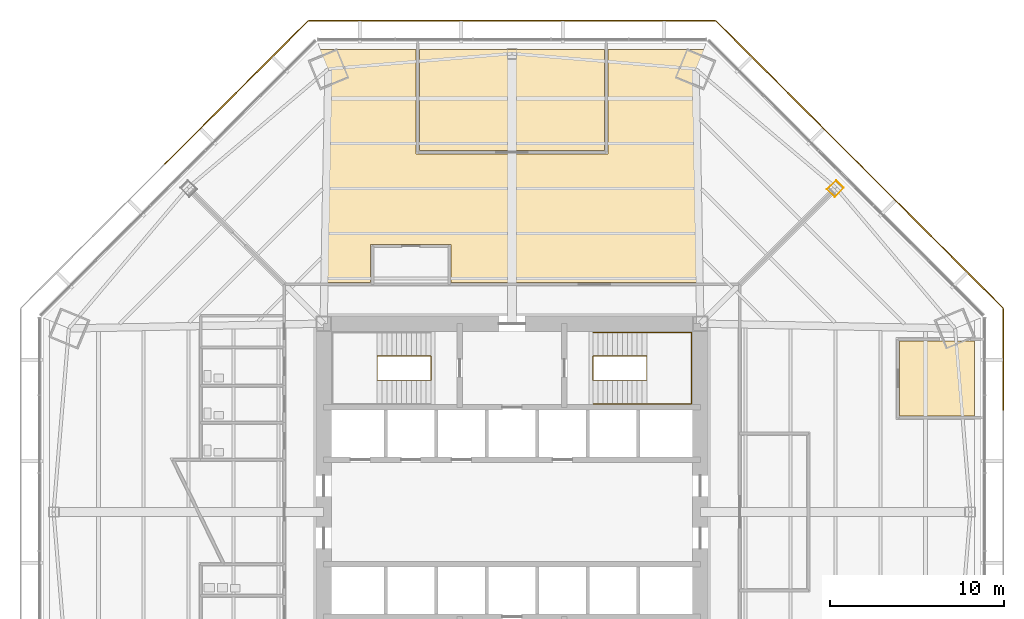
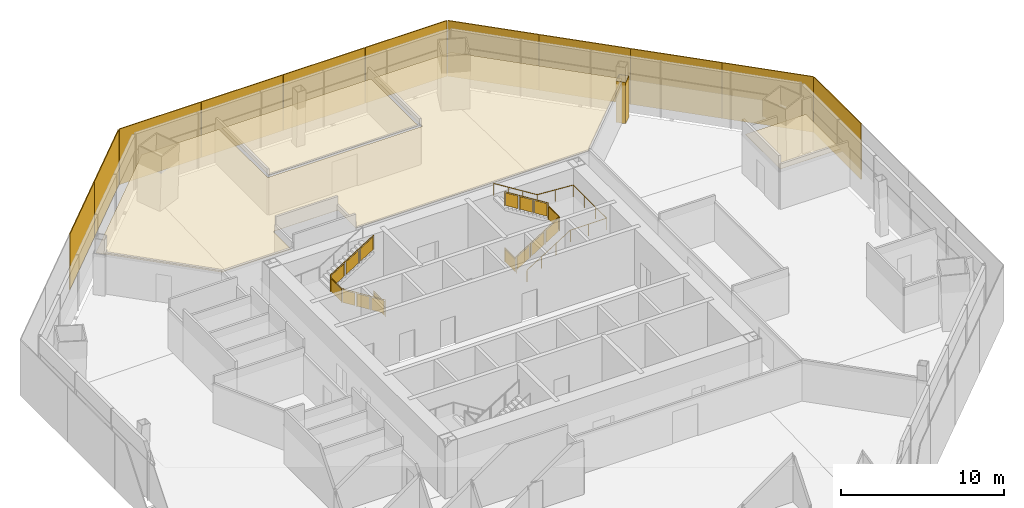
# One storey, part 13 of 14: 11 shading devices, 4 coverings, 3 railings.
"""IFC4 building model written with IfcOpenShell, lengths in metres."""

import ifcopenshell
import ifcopenshell.guid

model = None  # the IFC model being written
_history = None  # IfcOwnerHistory: only IFC2X3 demands one
_inside = {}  # id of a spatial element -> (the spatial element, [elements in it])
_under = {}  # id of a project, library or spatial element -> (it, [spatial elements below it])
_declared = {}  # id of a project -> (the project, [libraries it declares])
_typed = {}  # id of a type object -> (the type object, [elements of that type])
_made_of = {}  # id of a material, layer set ... -> (it, [elements and type objects made of it])


def new_model(schema):
    """Start an empty IFC model of exactly this schema.

    Asked for "IFC4X3", IfcOpenShell would pick the latest addendum, in which some entities
    have other attributes; the version numbers below select the first issue.
    IFC2X3 requires an IfcOwnerHistory on every rooted entity: one is made here for all.
    """
    global model, _history
    if schema == "IFC4X3":
        model = ifcopenshell.file(schema_version=(4, 3, 0, 0))
    else:
        model = ifcopenshell.file(schema=schema)
    _inside.clear()
    _under.clear()
    _declared.clear()
    _typed.clear()
    _made_of.clear()
    _history = None
    if model.schema == "IFC2X3":
        org = make("IfcOrganization", Name="unknown")
        user = make(
            "IfcPersonAndOrganization",
            ThePerson=make("IfcPerson", FamilyName="unknown"),
            TheOrganization=org,
        )
        app = make(
            "IfcApplication",
            ApplicationDeveloper=org,
            Version="unknown",
            ApplicationFullName="unknown",
            ApplicationIdentifier="unknown",
        )
        _history = make(
            "IfcOwnerHistory",
            OwningUser=user,
            OwningApplication=app,
            ChangeAction="ADDED",
            CreationDate=0,
        )
    return model


def make(cls, **values):
    """One entity of the class cls with the attributes given. An attribute that is None is left unset."""
    return model.create_entity(
        cls, **{name: value for name, value in values.items() if value is not None}
    )


def rooted(cls, **values):
    """An entity with a GlobalId (a new one), such as an element, a storey or a relation."""
    return make(cls, GlobalId=ifcopenshell.guid.new(), OwnerHistory=_history, **values)


def si_unit(unit_type, name, prefix=None):
    """IfcSIUnit, for example si_unit("LENGTHUNIT", "METRE", prefix="MILLI")."""
    return make("IfcSIUnit", UnitType=unit_type, Prefix=prefix, Name=name)


def assignment(units):
    """IfcUnitAssignment: the units of a project."""
    return None if units is None else make("IfcUnitAssignment", Units=units)


def point(xyz):
    """IfcCartesianPoint."""
    return None if xyz is None else make("IfcCartesianPoint", Coordinates=xyz)


def direction(xyz):
    """IfcDirection."""
    return None if xyz is None else make("IfcDirection", DirectionRatios=xyz)


def frame(location, z_axis=None, x_axis=None):
    """IfcAxis2Placement3D, a coordinate frame: its origin and axes. An axis left out is left unset."""
    return make(
        "IfcAxis2Placement3D",
        Location=point(location),
        Axis=direction(z_axis),
        RefDirection=direction(x_axis),
    )


def frame_2d(location, x_axis=None):
    """IfcAxis2Placement2D, a coordinate frame in the plane: its origin and x axis."""
    return make(
        "IfcAxis2Placement2D", Location=point(location), RefDirection=direction(x_axis)
    )


def origin():
    """The frame at (0, 0, 0) with its axes left unset."""
    return frame((0.0, 0.0, 0.0))


def origin_2d():
    """The frame at (0, 0) in the plane with its x axis left unset."""
    return frame_2d((0.0, 0.0))


def place(relative_to, where):
    """IfcLocalPlacement: puts the frame where relative to a parent placement (None: the world)."""
    return make(
        "IfcLocalPlacement", PlacementRelTo=relative_to, RelativePlacement=where
    )


def context(
    kind, dimensions, precision=None, world=None, true_north=None, identifier=None
):
    """IfcGeometricRepresentationContext, for example the 3D "Model" context."""
    return make(
        "IfcGeometricRepresentationContext",
        ContextIdentifier=identifier,
        ContextType=kind,
        CoordinateSpaceDimension=dimensions,
        Precision=precision,
        WorldCoordinateSystem=world,
        TrueNorth=true_north,
    )


def subcontext(parent, identifier, kind, view, scale=None):
    """IfcGeometricRepresentationSubContext, for example "Body" below "Model"."""
    return make(
        "IfcGeometricRepresentationSubContext",
        ContextIdentifier=identifier,
        ContextType=kind,
        ParentContext=parent,
        TargetScale=scale,
        TargetView=view,
    )


def project(units=None, contexts=None):
    """IfcProject with its units and contexts."""
    return rooted(
        "IfcProject",
        Name="project",
        RepresentationContexts=contexts,
        UnitsInContext=assignment(units),
    )


def spatial(cls, under=None, at=None, **own):
    """A site, building, storey or space (cls), placed at a placement, below another one or the project."""
    s = rooted(cls, ObjectPlacement=at, **own)
    if under is not None:
        _under.setdefault(under.id(), (under, []))[1].append(s)
    return s


def polyline(points):
    """IfcPolyline through the points."""
    return make("IfcPolyline", Points=[point(p) for p in points])


def profile(cls, at=None, kind="AREA", **sizes):
    """A parametric profile (cls). Its sizes go by their IFC names, for example OverallWidth=200.0."""
    return make(cls, ProfileType=kind, Position=at, **sizes)


def rectangle(**sizes):
    """IfcRectangleProfileDef."""
    return profile("IfcRectangleProfileDef", **sizes)


def circle(**sizes):
    """IfcCircleProfileDef."""
    return profile("IfcCircleProfileDef", **sizes)


def outline(outer, holes=None, kind="AREA"):
    """IfcArbitraryClosedProfileDef: a profile drawn as a closed curve; with holes, ...WithVoids."""
    if holes is None:
        return make("IfcArbitraryClosedProfileDef", ProfileType=kind, OuterCurve=outer)
    return make(
        "IfcArbitraryProfileDefWithVoids",
        ProfileType=kind,
        OuterCurve=outer,
        InnerCurves=holes,
    )


def extrude(swept, where, along, depth):
    """IfcExtrudedAreaSolid: the profile swept, set in the frame where, extruded along a direction by depth."""
    return make(
        "IfcExtrudedAreaSolid",
        SweptArea=swept,
        Position=where,
        ExtrudedDirection=direction(along),
        Depth=depth,
    )


def shape(context_of_items, identifier, shape_type, items):
    """IfcShapeRepresentation: the items that make up one representation, for example the "Body"."""
    return make(
        "IfcShapeRepresentation",
        ContextOfItems=context_of_items,
        RepresentationIdentifier=identifier,
        RepresentationType=shape_type,
        Items=items,
    )


def source(mapping_origin, context_of_items, identifier, shape_type, items):
    """IfcRepresentationMap: a shape defined once, which mapped items show again and again."""
    return make(
        "IfcRepresentationMap",
        MappingOrigin=mapping_origin,
        MappedRepresentation=shape(context_of_items, identifier, shape_type, items),
    )


def transform(
    local_origin,
    x_axis=None,
    y_axis=None,
    z_axis=None,
    scale=None,
    scale2=None,
    scale3=None,
    uniform=True,
):
    """IfcCartesianTransformationOperator3D, or its non-uniform kind. x_axis, y_axis, z_axis: its Axis1, 2, 3."""
    if uniform:
        return make(
            "IfcCartesianTransformationOperator3D",
            Axis1=direction(x_axis),
            Axis2=direction(y_axis),
            LocalOrigin=point(local_origin),
            Scale=scale,
            Axis3=direction(z_axis),
        )
    return make(
        "IfcCartesianTransformationOperator3DnonUniform",
        Axis1=direction(x_axis),
        Axis2=direction(y_axis),
        LocalOrigin=point(local_origin),
        Scale=scale,
        Axis3=direction(z_axis),
        Scale2=scale2,
        Scale3=scale3,
    )


def mapped(mapping_source, mapping_target):
    """IfcMappedItem: shows the shape of a source again, moved by a transform."""
    return make(
        "IfcMappedItem", MappingSource=mapping_source, MappingTarget=mapping_target
    )


def material(Name=None, Category=None):
    """IfcMaterial."""
    return make("IfcMaterial", Name=Name, Category=Category)


def layer(
    of_material, thickness, ventilated=None, Name=None, Category=None, Priority=None
):
    """IfcMaterialLayer: one layer of a wall or slab, of a material (None: an air gap)."""
    return make(
        "IfcMaterialLayer",
        Material=of_material,
        LayerThickness=thickness,
        IsVentilated=ventilated,
        Name=Name,
        Category=Category,
        Priority=Priority,
    )


def layer_set(layers, Name=None):
    """IfcMaterialLayerSet."""
    return make("IfcMaterialLayerSet", MaterialLayers=layers, LayerSetName=Name)


def made_of(thing, what):
    """Note that an element or type object is made of a material, layer set ...; save() writes the relation."""
    if what is not None:
        _made_of.setdefault(what.id(), (what, []))[1].append(thing)
    return thing


def type_object(cls, material=None, **own):
    """A type object (cls), such as IfcWallType, which elements share."""
    return made_of(rooted(cls, **own), material)


def type_shapes(of_type, sources):
    """Give a type object the sources (RepresentationMaps) that its elements show as mapped items."""
    of_type.RepresentationMaps = sources


def element(
    cls,
    number,
    at=None,
    inside=None,
    cuts=None,
    type_object=None,
    material=None,
    context=None,
    identifier="Body",
    shape_type=None,
    held_by="IfcProductDefinitionShape",
    body=None,
    shapes=None,
    **own,
):
    """One element of the class cls, such as IfcWall. Its Tag is "e" and its number.

    at: its placement. inside: the storey or other place that contains it. cuts: it is an
    opening in that element (IfcRelVoidsElement). A single representation is given by context,
    identifier, shape_type and body (its items); several are given by shapes. held_by: the class
    of the entity that holds the representations. save() writes the other relations.
    """
    e = rooted(cls, Tag="e%d" % number, ObjectPlacement=at, **own)
    if body is not None:
        shapes = [shape(context, identifier, shape_type, body)]
    if shapes is not None:
        e.Representation = make(held_by, Representations=shapes)
    if inside is not None:
        _inside.setdefault(inside.id(), (inside, []))[1].append(e)
    if cuts is not None:
        rooted(
            "IfcRelVoidsElement", RelatingBuildingElement=cuts, RelatedOpeningElement=e
        )
    if type_object is not None:
        _typed.setdefault(type_object.id(), (type_object, []))[1].append(e)
    return made_of(e, material)


def aggregate(whole, parts):
    """IfcRelAggregates: a whole, such as a stair, and the parts it consists of."""
    return rooted("IfcRelAggregates", RelatingObject=whole, RelatedObjects=parts)


def save(model, path):
    """Write the relations noted so far, then the file.

    IfcRelAggregates (storeys below a building ...), IfcRelContainedInSpatialStructure (elements
    in a storey), IfcRelDefinesByType, IfcRelAssociatesMaterial and IfcRelDeclares: one each for
    every whole, place, type object, material and project.
    """
    for whole, parts in _under.values():
        aggregate(whole, parts)
    for where, things in _inside.values():
        rooted(
            "IfcRelContainedInSpatialStructure",
            RelatedElements=things,
            RelatingStructure=where,
        )
    for kind, things in _typed.values():
        rooted("IfcRelDefinesByType", RelatedObjects=things, RelatingType=kind)
    for what, things in _made_of.values():
        rooted("IfcRelAssociatesMaterial", RelatedObjects=things, RelatingMaterial=what)
    for by, libraries in _declared.values():
        rooted("IfcRelDeclares", RelatingContext=by, RelatedDefinitions=libraries)
    model.write(path)


model = new_model("IFC4")

# Units and contexts
model_context = context("Model", 3, precision=1e-05, world=origin(), true_north=direction((0.0, 1.0)))
body_context = subcontext(model_context, "Body", "Model", "MODEL_VIEW")
ifc_project = project(units=[si_unit("LENGTHUNIT", "METRE"), si_unit("AREAUNIT", "SQUARE_METRE"), si_unit("VOLUMEUNIT", "CUBIC_METRE"), si_unit("PLANEANGLEUNIT", "RADIAN"), si_unit("MASSUNIT", "GRAM", prefix="KILO")], contexts=[model_context])

# Site, building, storey
site_placement = place(None, origin())
site = spatial("IfcSite", under=ifc_project, at=site_placement, CompositionType="ELEMENT")
building_placement = place(site_placement, origin())
building = spatial("IfcBuilding", under=site, at=building_placement, Name="Mashrafa Tower", CompositionType="ELEMENT")
storey_placement = place(building_placement, frame((0.0, 0.0, 33.0)))
storey = spatial("IfcBuildingStorey", under=building, at=storey_placement, Name="L06", CompositionType="ELEMENT", Elevation=33.0)

# Covering
ifc_material_1 = material(Name="Gypsum board")
ifc_layer_1 = layer(ifc_material_1, 0.014892578125)
ifc_layer_set_1 = layer_set([ifc_layer_1], Name="Column casing plasterboard 15")
covering_type_1 = type_object("IfcCoveringType", Name="Column casing plasterboard 15", PredefinedType="CLADDING", material=ifc_layer_set_1)
covering_1_placement = place(storey_placement, origin())
element("IfcCovering", 1, at=covering_1_placement, inside=storey, type_object=covering_type_1, Name="Column casing L06-001", PredefinedType="CLADDING", context=body_context, shape_type="SweptSolid", body=[
    extrude(outline(polyline([(18.053955078125, 18.49951171875), (18.583740234375, 19.029296875), (19.029296875, 18.583740234375), (18.49951171875, 18.053955078125), (18.053955078125, 18.49951171875)]), holes=[polyline([(19.008056640625, 18.583740234375), (18.583740234375, 19.008056640625), (18.0751953125, 18.49951171875), (18.49951171875, 18.0751953125), (19.008056640625, 18.583740234375)])]), origin(), (0.0, 0.0, 1.0), 3.097900390625),
])

# Railings
ifc_material_2 = material(Name="Steel guard with glass infill", Category="steel")
railing_type_1 = type_object("IfcRailingType", Name="Stair guard 1100", PredefinedType="GUARDRAIL", material=ifc_material_2)
railing_1_placement = place(storey_placement, frame((-4.64990234375, 8.949951171875, 0.0)))
element("IfcRailing", 2, at=railing_1_placement, inside=storey, type_object=railing_type_1, Name="Stair S1 guard L06", PredefinedType="GUARDRAIL", context=body_context, shape_type="SweptSolid", body=[
    extrude(circle(Radius=0.02392578125, at=origin_2d()), frame((0.0, 0.0, 1.076171875), z_axis=(0.0, -1.0, 0.0), x_axis=(1.0, 0.0, 0.0)), (0.0, 0.0, 1.0), 1.39990234375),
    extrude(circle(Radius=0.02392578125, at=origin_2d()), frame((0.0, -1.39990234375, 1.076171875), z_axis=(0.0, 0.0, 1.0), x_axis=(1.0, 0.0, 0.0)), (0.0, 0.0, 1.0), 0.175048828125),
    extrude(circle(Radius=0.02392578125, at=origin_2d()), frame((0.0, -1.39990234375, 1.2509765625), z_axis=(-0.847998304005, 0.0, 0.529998940003), x_axis=(0.0, -1.0, 0.0)), (0.0, 0.0, 1.0), 3.632080078125),
    extrude(circle(Radius=0.02392578125, at=origin_2d()), frame((-3.080078125, -1.39990234375, 3.17626953125), z_axis=(0.0, 1.0, 0.0), x_axis=(-1.0, 0.0, 0.0)), (0.0, 0.0, 1.0), 1.39990234375),
    extrude(circle(Radius=0.02392578125, at=origin_2d()), frame((-3.080078125, 0.0, 3.17626953125), z_axis=(0.0, 0.0, 1.0), x_axis=(1.0, 0.0, 0.0)), (0.0, 0.0, 1.0), 0.1748046875),
    extrude(circle(Radius=0.02392578125, at=origin_2d()), frame((-3.080078125, 0.0, 3.35107421875), z_axis=(0.847998304005, 0.0, 0.529998940003), x_axis=(0.0, 1.0, 0.0)), (0.0, 0.0, 1.0), 3.632080078125),
    extrude(circle(Radius=0.02099609375, at=origin_2d()), origin(), (0.0, 0.0, 1.0), 1.052001953125),
    extrude(circle(Radius=0.02099609375, at=origin_2d()), frame((0.0, -1.39990234375, 0.0)), (0.0, 0.0, 1.0), 1.052001953125),
    extrude(circle(Radius=0.02099609375, at=origin_2d()), frame((0.0, -1.39990234375, 0.175048828125)), (0.0, 0.0, 1.0), 1.052001953125),
    extrude(circle(Radius=0.02099609375, at=origin_2d()), frame((-1.026611328125, -1.39990234375, 0.816650390625)), (0.0, 0.0, 1.0), 1.052001953125),
    extrude(circle(Radius=0.02099609375, at=origin_2d()), frame((-2.053466796875, -1.39990234375, 1.45849609375)), (0.0, 0.0, 1.0), 1.052001953125),
    extrude(circle(Radius=0.02099609375, at=origin_2d()), frame((-3.080078125, -1.39990234375, 2.10009765625)), (0.0, 0.0, 1.0), 1.052001953125),
    extrude(circle(Radius=0.02099609375, at=origin_2d()), frame((-3.080078125, 0.0, 2.10009765625)), (0.0, 0.0, 1.0), 1.052001953125),
    extrude(circle(Radius=0.02099609375, at=origin_2d()), frame((-3.080078125, 0.0, 2.27490234375)), (0.0, 0.0, 1.0), 1.052001953125),
    extrude(circle(Radius=0.02099609375, at=origin_2d()), frame((-2.053466796875, 0.0, 2.91650390625)), (0.0, 0.0, 1.0), 1.052001953125),
    extrude(circle(Radius=0.02099609375, at=origin_2d()), frame((-1.026611328125, 0.0, 3.558349609375)), (0.0, 0.0, 1.0), 1.052001953125),
    extrude(circle(Radius=0.02099609375, at=origin_2d()), frame((0.0, 0.0, 4.199951171875)), (0.0, 0.0, 1.0), 1.052001953125),
    extrude(outline(polyline([(0.071044921875, 0.050048828125), (1.328857421875, 0.050048828125), (1.328857421875, 1.001953125), (0.071044921875, 1.001953125), (0.071044921875, 0.050048828125)])), frame((-0.006103515625, 0.0, 0.0), z_axis=(-1.0, 0.0, 0.0), x_axis=(0.0, -1.0, 0.0)), (0.0, 0.0, 1.0), 0.011962890625),
    extrude(outline(polyline([(0.071044921875, 0.094482421875), (0.955810546875, 0.647216796875), (0.955810546875, 1.599365234375), (0.071044921875, 1.04638671875), (0.071044921875, 0.094482421875)])), frame((0.0, -1.393798828125, 0.175048828125), z_axis=(0.0, 1.0, 0.0), x_axis=(-1.0, 0.0, 0.0)), (0.0, 0.0, 1.0), 0.011962890625),
    extrude(outline(polyline([(1.09765625, 0.736083984375), (1.982421875, 1.2890625), (1.982421875, 2.240966796875), (1.09765625, 1.68798828125), (1.09765625, 0.736083984375)])), frame((0.0, -1.393798828125, 0.175048828125), z_axis=(0.0, 1.0, 0.0), x_axis=(-1.0, 0.0, 0.0)), (0.0, 0.0, 1.0), 0.011962890625),
    extrude(outline(polyline([(2.124267578125, 1.377685546875), (3.009033203125, 1.9306640625), (3.009033203125, 2.882568359375), (2.124267578125, 2.329833984375), (2.124267578125, 1.377685546875)])), frame((0.0, -1.393798828125, 0.175048828125), z_axis=(0.0, 1.0, 0.0), x_axis=(-1.0, 0.0, 0.0)), (0.0, 0.0, 1.0), 0.011962890625),
    extrude(outline(polyline([(0.071044921875, 0.050048828125), (1.328857421875, 0.050048828125), (1.328857421875, 1.001953125), (0.071044921875, 1.001953125), (0.071044921875, 0.050048828125)])), frame((-3.073974609375, -1.39990234375, 2.10009765625), z_axis=(1.0, 0.0, 0.0), x_axis=(0.0, 1.0, 0.0)), (0.0, 0.0, 1.0), 0.011962890625),
    extrude(outline(polyline([(0.071044921875, 0.094482421875), (0.955810546875, 0.647216796875), (0.955810546875, 1.599365234375), (0.071044921875, 1.04638671875), (0.071044921875, 0.094482421875)])), frame((-3.080078125, -0.006103515625, 2.27490234375), z_axis=(0.0, -1.0, 0.0), x_axis=(1.0, 0.0, 0.0)), (0.0, 0.0, 1.0), 0.011962890625),
    extrude(outline(polyline([(1.09765625, 0.736083984375), (1.982421875, 1.2890625), (1.982421875, 2.240966796875), (1.09765625, 1.68798828125), (1.09765625, 0.736083984375)])), frame((-3.080078125, -0.006103515625, 2.27490234375), z_axis=(0.0, -1.0, 0.0), x_axis=(1.0, 0.0, 0.0)), (0.0, 0.0, 1.0), 0.011962890625),
    extrude(outline(polyline([(2.124267578125, 1.377685546875), (3.009033203125, 1.9306640625), (3.009033203125, 2.882568359375), (2.124267578125, 2.329833984375), (2.124267578125, 1.377685546875)])), frame((-3.080078125, -0.006103515625, 2.27490234375), z_axis=(0.0, -1.0, 0.0), x_axis=(1.0, 0.0, 0.0)), (0.0, 0.0, 1.0), 0.011962890625),
])
railing_2_placement = place(storey_placement, frame((4.64990234375, 8.949951171875, 0.0)))
element("IfcRailing", 3, at=railing_2_placement, inside=storey, type_object=railing_type_1, Name="Stair S2 guard L06", PredefinedType="GUARDRAIL", context=body_context, shape_type="SweptSolid", body=[
    extrude(circle(Radius=0.02392578125, at=origin_2d()), frame((0.0, 0.0, 1.076171875), z_axis=(0.0, -1.0, 0.0), x_axis=(1.0, 0.0, 0.0)), (0.0, 0.0, 1.0), 1.39990234375),
    extrude(circle(Radius=0.02392578125, at=origin_2d()), frame((0.0, -1.39990234375, 1.076171875), z_axis=(0.0, 0.0, 1.0), x_axis=(1.0, 0.0, 0.0)), (0.0, 0.0, 1.0), 0.175048828125),
    extrude(circle(Radius=0.02392578125, at=origin_2d()), frame((0.0, -1.39990234375, 1.2509765625), z_axis=(0.847998304005, 0.0, 0.529998940003), x_axis=(0.0, 1.0, 0.0)), (0.0, 0.0, 1.0), 3.632080078125),
    extrude(circle(Radius=0.02392578125, at=origin_2d()), frame((3.080078125, -1.39990234375, 3.17626953125), z_axis=(0.0, 1.0, 0.0), x_axis=(-1.0, 0.0, 0.0)), (0.0, 0.0, 1.0), 1.39990234375),
    extrude(circle(Radius=0.02392578125, at=origin_2d()), frame((3.080078125, 0.0, 3.17626953125), z_axis=(0.0, 0.0, 1.0), x_axis=(1.0, 0.0, 0.0)), (0.0, 0.0, 1.0), 0.1748046875),
    extrude(circle(Radius=0.02392578125, at=origin_2d()), frame((3.080078125, 0.0, 3.35107421875), z_axis=(-0.847998304005, 0.0, 0.529998940003), x_axis=(0.0, -1.0, 0.0)), (0.0, 0.0, 1.0), 3.632080078125),
    extrude(circle(Radius=0.02099609375, at=origin_2d()), origin(), (0.0, 0.0, 1.0), 1.052001953125),
    extrude(circle(Radius=0.02099609375, at=origin_2d()), frame((0.0, -1.39990234375, 0.0)), (0.0, 0.0, 1.0), 1.052001953125),
    extrude(circle(Radius=0.02099609375, at=origin_2d()), frame((0.0, -1.39990234375, 0.175048828125)), (0.0, 0.0, 1.0), 1.052001953125),
    extrude(circle(Radius=0.02099609375, at=origin_2d()), frame((1.026611328125, -1.39990234375, 0.816650390625)), (0.0, 0.0, 1.0), 1.052001953125),
    extrude(circle(Radius=0.02099609375, at=origin_2d()), frame((2.053466796875, -1.39990234375, 1.45849609375)), (0.0, 0.0, 1.0), 1.052001953125),
    extrude(circle(Radius=0.02099609375, at=origin_2d()), frame((3.080078125, -1.39990234375, 2.10009765625)), (0.0, 0.0, 1.0), 1.052001953125),
    extrude(circle(Radius=0.02099609375, at=origin_2d()), frame((3.080078125, 0.0, 2.10009765625)), (0.0, 0.0, 1.0), 1.052001953125),
    extrude(circle(Radius=0.02099609375, at=origin_2d()), frame((3.080078125, 0.0, 2.27490234375)), (0.0, 0.0, 1.0), 1.052001953125),
    extrude(circle(Radius=0.02099609375, at=origin_2d()), frame((2.053466796875, 0.0, 2.91650390625)), (0.0, 0.0, 1.0), 1.052001953125),
    extrude(circle(Radius=0.02099609375, at=origin_2d()), frame((1.026611328125, 0.0, 3.558349609375)), (0.0, 0.0, 1.0), 1.052001953125),
    extrude(circle(Radius=0.02099609375, at=origin_2d()), frame((0.0, 0.0, 4.199951171875)), (0.0, 0.0, 1.0), 1.052001953125),
    extrude(outline(polyline([(0.071044921875, 0.050048828125), (1.328857421875, 0.050048828125), (1.328857421875, 1.001953125), (0.071044921875, 1.001953125), (0.071044921875, 0.050048828125)])), frame((-0.006103515625, 0.0, 0.0), z_axis=(-1.0, 0.0, 0.0), x_axis=(0.0, -1.0, 0.0)), (0.0, 0.0, 1.0), 0.011962890625),
    extrude(outline(polyline([(0.071044921875, 0.094482421875), (0.955810546875, 0.647216796875), (0.955810546875, 1.599365234375), (0.071044921875, 1.04638671875), (0.071044921875, 0.094482421875)])), frame((0.0, -1.406005859375, 0.175048828125), z_axis=(0.0, -1.0, 0.0), x_axis=(1.0, 0.0, 0.0)), (0.0, 0.0, 1.0), 0.011962890625),
    extrude(outline(polyline([(1.09765625, 0.736083984375), (1.982421875, 1.2890625), (1.982421875, 2.240966796875), (1.09765625, 1.68798828125), (1.09765625, 0.736083984375)])), frame((0.0, -1.406005859375, 0.175048828125), z_axis=(0.0, -1.0, 0.0), x_axis=(1.0, 0.0, 0.0)), (0.0, 0.0, 1.0), 0.011962890625),
    extrude(outline(polyline([(2.124267578125, 1.377685546875), (3.009033203125, 1.9306640625), (3.009033203125, 2.882568359375), (2.124267578125, 2.329833984375), (2.124267578125, 1.377685546875)])), frame((0.0, -1.406005859375, 0.175048828125), z_axis=(0.0, -1.0, 0.0), x_axis=(1.0, 0.0, 0.0)), (0.0, 0.0, 1.0), 0.011962890625),
    extrude(outline(polyline([(0.071044921875, 0.050048828125), (1.328857421875, 0.050048828125), (1.328857421875, 1.001953125), (0.071044921875, 1.001953125), (0.071044921875, 0.050048828125)])), frame((3.086181640625, -1.39990234375, 2.10009765625), z_axis=(1.0, 0.0, 0.0), x_axis=(0.0, 1.0, 0.0)), (0.0, 0.0, 1.0), 0.011962890625),
    extrude(outline(polyline([(0.071044921875, 0.094482421875), (0.955810546875, 0.647216796875), (0.955810546875, 1.599365234375), (0.071044921875, 1.04638671875), (0.071044921875, 0.094482421875)])), frame((3.080078125, 0.006103515625, 2.27490234375), z_axis=(0.0, 1.0, 0.0), x_axis=(-1.0, 0.0, 0.0)), (0.0, 0.0, 1.0), 0.011962890625),
    extrude(outline(polyline([(1.09765625, 0.736083984375), (1.982421875, 1.2890625), (1.982421875, 2.240966796875), (1.09765625, 1.68798828125), (1.09765625, 0.736083984375)])), frame((3.080078125, 0.006103515625, 2.27490234375), z_axis=(0.0, 1.0, 0.0), x_axis=(-1.0, 0.0, 0.0)), (0.0, 0.0, 1.0), 0.011962890625),
    extrude(outline(polyline([(2.124267578125, 1.377685546875), (3.009033203125, 1.9306640625), (3.009033203125, 2.882568359375), (2.124267578125, 2.329833984375), (2.124267578125, 1.377685546875)])), frame((3.080078125, 0.006103515625, 2.27490234375), z_axis=(0.0, 1.0, 0.0), x_axis=(-1.0, 0.0, 0.0)), (0.0, 0.0, 1.0), 0.011962890625),
])
ifc_material_3 = material(Name="Steel", Category="steel")
railing_type_2 = type_object("IfcRailingType", Name="Stair handrail 900", PredefinedType="HANDRAIL", material=ifc_material_3)
railing_3_placement = place(storey_placement, frame((4.64990234375, 6.199951171875, 0.175048828125)))
element("IfcRailing", 4, at=railing_3_placement, inside=storey, type_object=railing_type_2, Name="Stair S2 handrail L06", PredefinedType="HANDRAIL", context=body_context, shape_type="SweptSolid", body=[
    extrude(circle(Radius=0.02392578125, at=origin_2d()), frame((0.0, 0.0, 0.8759765625), z_axis=(0.847998304005, 0.0, 0.529998940003), x_axis=(0.0, 1.0, 0.0)), (0.0, 0.0, 1.0), 3.632080078125),
    extrude(circle(Radius=0.02392578125, at=origin_2d()), frame((3.080078125, 0.0, 2.80078125), z_axis=(1.0, 0.0, 0.0), x_axis=(0.0, 1.0, 0.0)), (0.0, 0.0, 1.0), 2.570068359375),
    extrude(circle(Radius=0.02392578125, at=origin_2d()), frame((5.650146484375, 0.0, 2.80078125), z_axis=(0.0, 1.0, 0.0), x_axis=(-1.0, 0.0, 0.0)), (0.0, 0.0, 1.0), 4.10009765625),
    extrude(circle(Radius=0.02392578125, at=origin_2d()), frame((5.650146484375, 4.10009765625, 2.80078125), z_axis=(-0.99769493506, 0.0, 0.067858798661), x_axis=(0.0, -1.0, 0.0)), (0.0, 0.0, 1.0), 2.575927734375),
    extrude(circle(Radius=0.02392578125, at=origin_2d()), frame((3.080078125, 4.10009765625, 2.9755859375), z_axis=(-0.847998304005, 0.0, 0.529998940003), x_axis=(0.0, -1.0, 0.0)), (0.0, 0.0, 1.0), 3.632080078125),
    extrude(circle(Radius=0.02099609375, at=origin_2d()), origin(), (0.0, 0.0, 1.0), 0.851806640625),
    extrude(circle(Radius=0.02099609375, at=origin_2d()), frame((1.026611328125, 0.0, 0.6416015625)), (0.0, 0.0, 1.0), 0.851806640625),
    extrude(circle(Radius=0.02099609375, at=origin_2d()), frame((2.053466796875, 0.0, 1.283447265625)), (0.0, 0.0, 1.0), 0.851806640625),
    extrude(circle(Radius=0.02099609375, at=origin_2d()), frame((3.080078125, 0.0, 1.925048828125)), (0.0, 0.0, 1.0), 0.851806640625),
    extrude(circle(Radius=0.02099609375, at=origin_2d()), frame((4.365234375, 0.0, 1.925048828125)), (0.0, 0.0, 1.0), 0.851806640625),
    extrude(circle(Radius=0.02099609375, at=origin_2d()), frame((5.650146484375, 0.0, 1.925048828125)), (0.0, 0.0, 1.0), 0.851806640625),
    extrude(circle(Radius=0.02099609375, at=origin_2d()), frame((5.650146484375, 1.36669921875, 1.925048828125)), (0.0, 0.0, 1.0), 0.851806640625),
    extrude(circle(Radius=0.02099609375, at=origin_2d()), frame((5.650146484375, 2.7333984375, 1.925048828125)), (0.0, 0.0, 1.0), 0.851806640625),
    extrude(circle(Radius=0.02099609375, at=origin_2d()), frame((5.650146484375, 4.10009765625, 1.925048828125)), (0.0, 0.0, 1.0), 0.851806640625),
    extrude(circle(Radius=0.02099609375, at=origin_2d()), frame((4.365234375, 4.10009765625, 2.012451171875)), (0.0, 0.0, 1.0), 0.851806640625),
    extrude(circle(Radius=0.02099609375, at=origin_2d()), frame((3.080078125, 4.10009765625, 2.099853515625)), (0.0, 0.0, 1.0), 0.851806640625),
    extrude(circle(Radius=0.02099609375, at=origin_2d()), frame((2.053466796875, 4.10009765625, 2.741455078125)), (0.0, 0.0, 1.0), 0.851806640625),
    extrude(circle(Radius=0.02099609375, at=origin_2d()), frame((1.026611328125, 4.10009765625, 3.38330078125)), (0.0, 0.0, 1.0), 0.851806640625),
    extrude(circle(Radius=0.02099609375, at=origin_2d()), frame((0.0, 4.10009765625, 4.02490234375)), (0.0, 0.0, 1.0), 0.851806640625),
])

# Coverings
ifc_material_4 = material(Name="Mineral fibre tile on suspension grid")
ifc_layer_2 = layer(ifc_material_4, 0.014892578125)
ifc_layer_set_2 = layer_set([ifc_layer_2], Name="Suspended ceiling mineral tile 15")
covering_type_2 = type_object("IfcCoveringType", Name="Suspended ceiling mineral tile 15", PredefinedType="CEILING", material=ifc_layer_set_2)
covering_2_placement = place(storey_placement, frame((0.0, 0.0, 2.85009765625)))
element("IfcCovering", 5, at=covering_2_placement, inside=storey, type_object=covering_type_2, Name="Ceiling Board Room 06", PredefinedType="CEILING", context=body_context, shape_type="SweptSolid", body=[
    extrude(outline(polyline([(-5.300048828125, 26.53125), (5.300048828125, 26.53125), (5.300048828125, 20.731201171875), (-5.300048828125, 20.731201171875), (-5.300048828125, 26.53125)])), origin(), (0.0, 0.0, 1.0), 0.014892578125),
])
covering_3_placement = place(storey_placement, frame((0.0, 0.0, 2.89990234375)))
element("IfcCovering", 6, at=covering_3_placement, inside=storey, type_object=covering_type_2, Name="Ceiling Meeting Room 06-1", PredefinedType="CEILING", context=body_context, shape_type="SweptSolid", body=[
    extrude(outline(polyline([(22.231201171875, 9.800048828125), (26.53125, 9.800048828125), (26.53125, 5.5), (22.231201171875, 5.5), (22.231201171875, 9.800048828125)])), origin(), (0.0, 0.0, 1.0), 0.01513671875),
])
covering_4_placement = place(storey_placement, frame((0.0, 0.0, 2.85009765625)))
element("IfcCovering", 7, at=covering_4_placement, inside=storey, type_object=covering_type_2, Name="Ceiling Corporate Banking Office 06", PredefinedType="CEILING", context=body_context, shape_type="SweptSolid", body=[
    extrude(outline(polyline([(-13.008544921875, 13.14990234375), (-18.689697265625, 18.8310546875), (-10.989501953125, 26.53125), (-5.5, 26.53125), (-5.5, 20.53125), (5.5, 20.53125), (5.5, 26.53125), (10.989501953125, 26.53125), (18.689697265625, 18.8310546875), (13.008544921875, 13.14990234375), (-3.5, 13.14990234375), (-3.5, 15.35009765625), (-8.10009765625, 15.35009765625), (-8.10009765625, 13.14990234375), (-13.008544921875, 13.14990234375)])), origin(), (0.0, 0.0, 1.0), 0.014892578125),
])

# Shading devices
ifc_material_5 = material(Name="Perforated aluminium plate, eight-point star pattern", Category="aluminium")
ifc_layer_3 = layer(ifc_material_5, 0.06005859375)
ifc_layer_set_3 = layer_set([ifc_layer_3], Name="Mashrabiya screen panel office zone 1, 45 percent open")
shading_device_type = type_object("IfcShadingDeviceType", Name="Mashrabiya screen panel office zone 1, 45 percent open", PredefinedType="SHUTTER", material=ifc_layer_set_3)
shared_shape = source(origin(), body_context, "Body", "SweptSolid", [
    extrude(rectangle(XDim=5.805419921875, YDim=0.06005859375, at=origin_2d()), origin(), (0.0, 0.0, 1.0), 4.179931640625),
])
type_shapes(shading_device_type, [shared_shape])
for number, where, z_axis, x_axis, name in (
    (8, (28.18115234375, 8.738037109375, -0.14990234375), (0.0, 0.0, 1.0), (0.0, 1.0, 0.0), "Mashrabiya screen L06 east 4"),
    (9, (26.105712890625, 13.74853515625, -0.14990234375), (0.0, 0.0, 1.0), (-0.707106781187, 0.707106781187, 0.0), "Mashrabiya screen L06 north-east 1"),
    (10, (21.986572265625, 17.86767578125, -0.14990234375), (0.0, 0.0, 1.0), (-0.707106781187, 0.707106781187, 0.0), "Mashrabiya screen L06 north-east 2"),
    (11, (17.86767578125, 21.986572265625, -0.14990234375), (0.0, 0.0, 1.0), (-0.707106781187, 0.707106781187, 0.0), "Mashrabiya screen L06 north-east 3"),
    (12, (13.74853515625, 26.105712890625, -0.14990234375), (0.0, 0.0, 1.0), (-0.707106781187, 0.707106781187, 0.0), "Mashrabiya screen L06 north-east 4"),
    (13, (8.738037109375, 28.18115234375, -0.14990234375), (0.0, 0.0, 1.0), (-1.0, 0.0, 0.0), "Mashrabiya screen L06 north 1"),
    (14, (2.91259765625, 28.18115234375, -0.14990234375), (0.0, 0.0, 1.0), (-1.0, 0.0, 0.0), "Mashrabiya screen L06 north 2"),
    (15, (-2.91259765625, 28.18115234375, -0.14990234375), (0.0, 0.0, 1.0), (-1.0, 0.0, 0.0), "Mashrabiya screen L06 north 3"),
    (16, (-8.738037109375, 28.18115234375, -0.14990234375), (0.0, 0.0, 1.0), (-1.0, 0.0, 0.0), "Mashrabiya screen L06 north 4"),
    (17, (-13.74853515625, 26.105712890625, -0.14990234375), (0.0, 0.0, 1.0), (-0.707106781187, -0.707106781187, 0.0), "Mashrabiya screen L06 north-west 1"),
    (18, (-17.86767578125, 21.986572265625, -0.14990234375), (0.0, 0.0, 1.0), (-0.707106781187, -0.707106781187, 0.0), "Mashrabiya screen L06 north-west 2"),
):
    element("IfcShadingDevice", number, at=place(storey_placement, frame(where, z_axis=z_axis, x_axis=x_axis)), inside=storey, type_object=shading_device_type, Name=name, PredefinedType="SHUTTER", context=body_context, shape_type="MappedRepresentation", body=[
        mapped(shared_shape, transform((0.0, 0.0, 0.0))),
    ])

save(model, "model.ifc")
